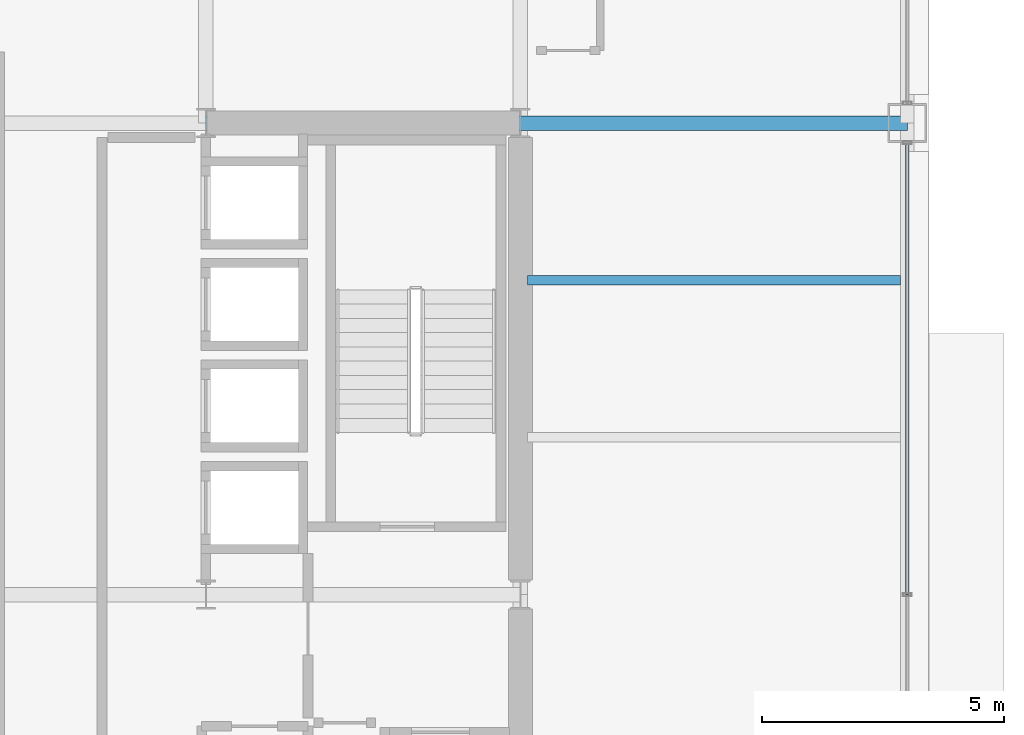
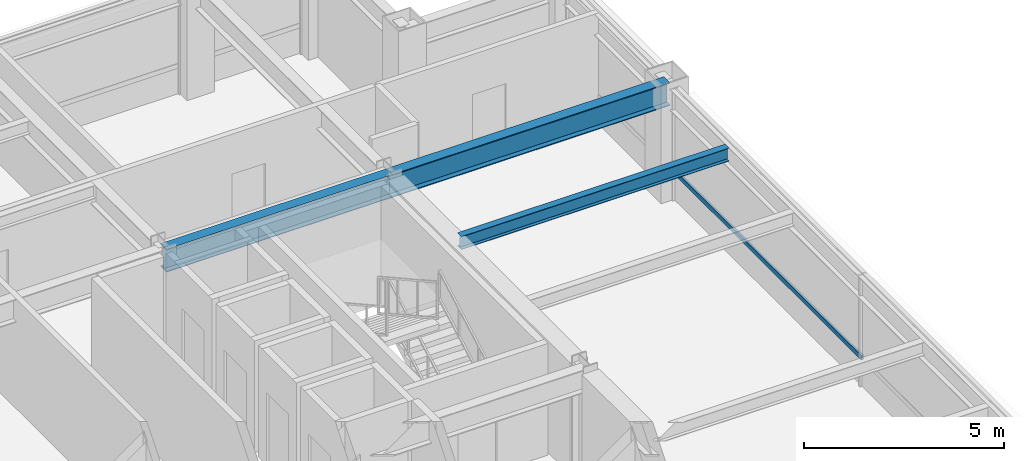
# One storey, part 16 of 28: 3 beams, 1 member, 1 element without a shape of its own.
"""IFC4 building model written with IfcOpenShell, lengths in metres."""

from ifc_helpers import new_model, si_unit, direction, frame, origin, origin_2d, place, context, subcontext, project, spatial, hollow_rectangle, i_section, extrude, material, layer, layer_set, material_profile, profile_set, type_object, element, aggregate, save


model = new_model("IFC4")

# Units and contexts
model_context = context("Model", 3, precision=1e-05, world=origin(), true_north=direction((0.0, 1.0)))
body_context = subcontext(model_context, "Body", "Model", "MODEL_VIEW")
ifc_project = project(units=[si_unit("LENGTHUNIT", "METRE"), si_unit("AREAUNIT", "SQUARE_METRE"), si_unit("VOLUMEUNIT", "CUBIC_METRE"), si_unit("PLANEANGLEUNIT", "RADIAN"), si_unit("MASSUNIT", "GRAM", prefix="KILO")], contexts=[model_context])

# Site, building, storey
site_placement = place(None, origin())
site = spatial("IfcSite", under=ifc_project, at=site_placement, CompositionType="ELEMENT")
building_placement = place(site_placement, origin())
building = spatial("IfcBuilding", under=site, at=building_placement, Name="Brelmoor Portico Tower", CompositionType="ELEMENT")
storey_placement = place(building_placement, frame((0.0, 0.0, 142.199951171875)))
storey = spatial("IfcBuildingStorey", under=building, at=storey_placement, Name="L37", CompositionType="ELEMENT", Elevation=142.199951171875)

# Beams
ifc_material_1 = material(Name="Steel Q355B", Category="steel")
ifc_material_profile_1 = material_profile(ifc_material_1, i_section(OverallWidth=0.199951171875, OverallDepth=0.39990234375, WebThickness=0.008056640625, FlangeThickness=0.012939453125, at=origin_2d()), Name="HN 400x200x8x13")
ifc_profile_set_1 = profile_set([ifc_material_profile_1], Name="Steel Q355B")
beam_type_1 = type_object("IfcBeamType", Name="BM-JS-400", PredefinedType="JOIST", material=ifc_profile_set_1)
beam_1_placement = place(storey_placement, frame((14.699951171875, 6.5, 3.199951171875), z_axis=(1.0, 0.0, 0.0), x_axis=(0.0, 1.0, 0.0)))
element("IfcBeam", 1, at=beam_1_placement, inside=storey, type_object=beam_type_1, Name="L37 Secondary Wing Joist JS-E12", PredefinedType="JOIST", context=body_context, shape_type="SweptSolid", body=[
    extrude(i_section(OverallWidth=0.199951171875, OverallDepth=0.39990234375, WebThickness=0.008056640625, FlangeThickness=0.012939453125, at=origin_2d()), origin(), (0.0, 0.0, 1.0), 7.7099609375),
])
ifc_material_profile_2 = material_profile(ifc_material_1, i_section(OverallWidth=0.300048828125, OverallDepth=0.699951171875, WebThickness=0.012939453125, FlangeThickness=0.02392578125, at=origin_2d()), Name="HN 700x300x13x24")
ifc_profile_set_2 = profile_set([ifc_material_profile_2], Name="Steel Q355B")
beam_type_2 = type_object("IfcBeamType", Name="BM-PG-700", PredefinedType="BEAM", material=ifc_profile_set_2)
beam_2_placement = place(storey_placement, frame((8.050048828125, 9.75, 3.050048828125), z_axis=(1.0, 0.0, 0.0), x_axis=(0.0, 1.0, 0.0)))
element("IfcBeam", 2, at=beam_2_placement, inside=storey, type_object=beam_type_2, Name="L37 Primary Floor Girder PG-25", PredefinedType="BEAM", context=body_context, shape_type="SweptSolid", body=[
    extrude(i_section(OverallWidth=0.300048828125, OverallDepth=0.699951171875, WebThickness=0.012939453125, FlangeThickness=0.02392578125, at=origin_2d()), origin(), (0.0, 0.0, 1.0), 6.5),
])
beam_3_placement = place(storey_placement, frame((14.550048828125, 9.75, 3.050048828125), z_axis=(1.0, 0.0, 0.0), x_axis=(0.0, 1.0, 0.0)))
element("IfcBeam", 3, at=beam_3_placement, inside=storey, type_object=beam_type_2, Name="L37 Primary Floor Girder PG-26", PredefinedType="BEAM", context=body_context, shape_type="SweptSolid", body=[
    extrude(i_section(OverallWidth=0.300048828125, OverallDepth=0.699951171875, WebThickness=0.012939453125, FlangeThickness=0.02392578125, at=origin_2d()), origin(), (0.0, 0.0, 1.0), 8.0),
])

# Curtain wall, member
ifc_material_2 = material(Name="Anodised Aluminium Alloy 6063-T6", Category="aluminium")
ifc_layer = layer(ifc_material_2, 0.179931640625)
ifc_layer_set = layer_set([ifc_layer], Name="Anodised Aluminium Alloy 6063-T6")
curtain_wall_type = type_object("IfcCurtainWallType", Name="CW-TOWER-Z2", PredefinedType="NOTDEFINED", material=ifc_layer_set)
curtain_wall_placement = place(storey_placement, origin())
curtain_wall = element("IfcCurtainWall", 4, at=curtain_wall_placement, inside=storey, type_object=curtain_wall_type, Name="L37 Curtain Wall CW-L37-04-2", PredefinedType="NOTDEFINED")
ifc_material_profile_3 = material_profile(ifc_material_2, hollow_rectangle(XDim=0.06494140625, YDim=0.139892578125, WallThickness=0.00390625, at=origin_2d()), Name="ALU TRANSOM 65x140")
ifc_profile_set_3 = profile_set([ifc_material_profile_3], Name="Anodised Aluminium Alloy 6063-T6")
member_type = type_object("IfcMemberType", Name="MB-CW-TRAN-140", PredefinedType="USERDEFINED", material=ifc_profile_set_3)
member_placement = place(storey_placement, frame((22.550048828125, 0.0, 0.85009765625), z_axis=(0.0, 1.0, 0.0), x_axis=(-1.0, 0.0, 0.0)))
member = element("IfcMember", 5, at=member_placement, type_object=member_type, Name="CW-L37-04-2 Transom 1-01", ObjectType="TRANSOM", PredefinedType="USERDEFINED", context=body_context, shape_type="SweptSolid", body=[
    extrude(hollow_rectangle(XDim=0.06494140625, YDim=0.139892578125, WallThickness=0.00390625, at=origin_2d()), origin(), (0.0, 0.0, 1.0), 9.340087890625),
])
aggregate(curtain_wall, [member])

save(model, "model.ifc")
